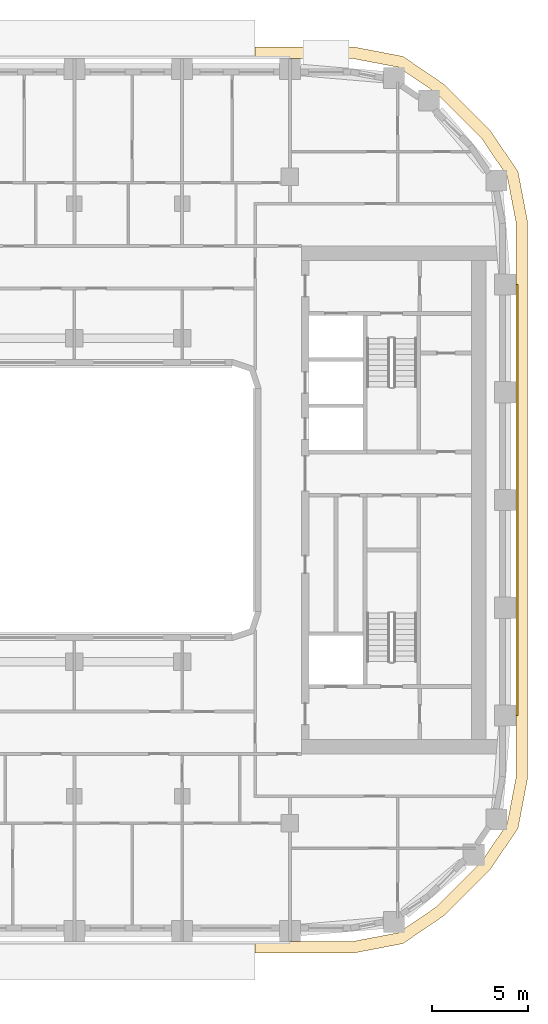
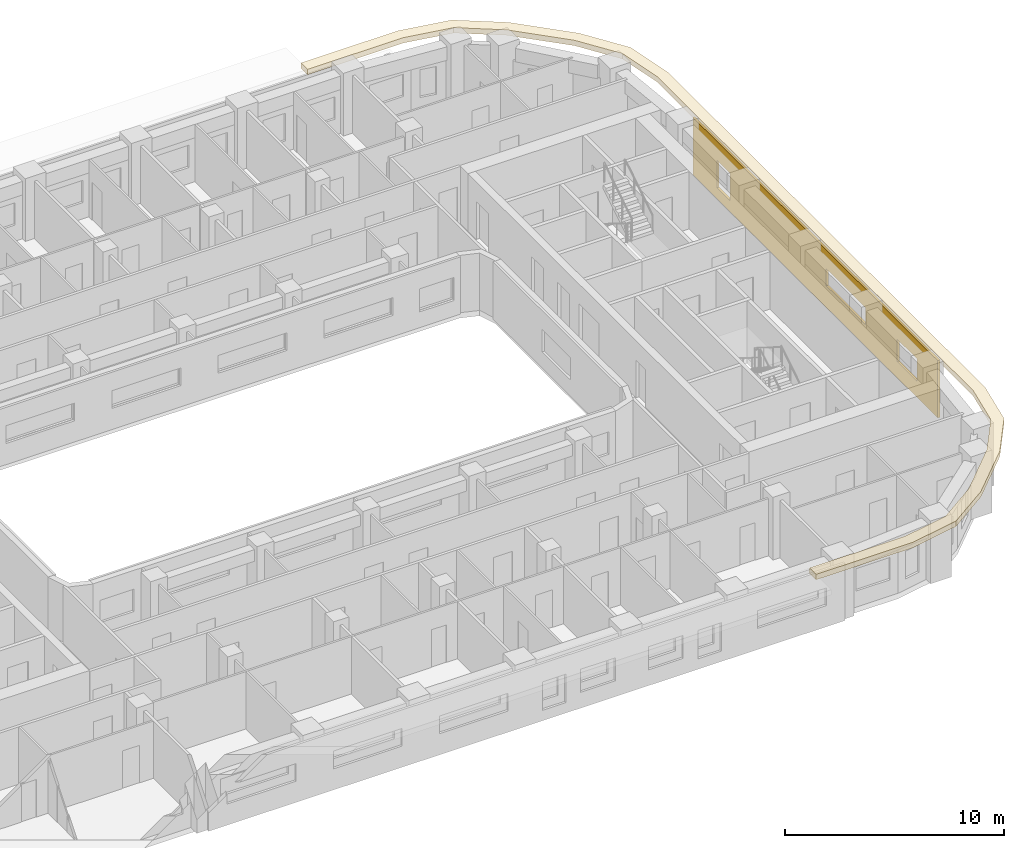
# One storey, part 18 of 22: 2 coverings.
"""IFC4 building model written with IfcOpenShell, lengths in metres."""

from ifc_helpers import new_model, si_unit, direction, frame, origin, place, context, subcontext, project, spatial, polyline, outline, extrude, material, layer, layer_set, type_object, element, save


model = new_model("IFC4")

# Units and contexts
model_context = context("Model", 3, precision=1e-05, world=origin(), true_north=direction((0.0, 1.0)))
body_context = subcontext(model_context, "Body", "Model", "MODEL_VIEW")
ifc_project = project(units=[si_unit("LENGTHUNIT", "METRE"), si_unit("AREAUNIT", "SQUARE_METRE"), si_unit("VOLUMEUNIT", "CUBIC_METRE"), si_unit("PLANEANGLEUNIT", "RADIAN"), si_unit("MASSUNIT", "GRAM", prefix="KILO")], contexts=[model_context])

# Site, building, storey
site_placement = place(None, origin())
site = spatial("IfcSite", under=ifc_project, at=site_placement, CompositionType="ELEMENT")
building_placement = place(site_placement, origin())
building = spatial("IfcBuilding", under=site, at=building_placement, Name="Kiln Ring Residences", CompositionType="ELEMENT")
storey_placement = place(building_placement, frame((0.0, 0.0, 143.10009765625)))
storey = spatial("IfcBuildingStorey", under=building, at=storey_placement, Name="L36", CompositionType="ELEMENT", Elevation=143.10009765625)

# Coverings
ifc_material_1 = material(Name="Brick masonry, dark clay brick", Category="masonry")
ifc_layer_1 = layer(ifc_material_1, 0.1201171875)
ifc_layer_set_1 = layer_set([ifc_layer_1], Name="RAINSCREEN PANEL 120")
covering_type_1 = type_object("IfcCoveringType", Name="RAINSCREEN PANEL 120", PredefinedType="CLADDING", material=ifc_layer_set_1)
covering_1_placement = place(storey_placement, frame((28.610107421875, -11.199951171875, 0.0), z_axis=(0.0, 0.0, 1.0), x_axis=(0.0, 1.0, 0.0)))
element("IfcCovering", 1, at=covering_1_placement, inside=storey, type_object=covering_type_1, Name="RAINSCREEN L36", PredefinedType="CLADDING", context=body_context, shape_type="SweptSolid", body=[
    extrude(outline(polyline([(0.0, 0.0), (22.39990234375, 0.0), (22.39990234375, 3.199951171875), (0.0, 3.199951171875), (0.0, 0.0)]), holes=[polyline([(20.199951171875, 2.14990234375), (19.0, 2.14990234375), (19.0, 0.599853515625), (20.199951171875, 0.599853515625), (20.199951171875, 2.14990234375)]), polyline([(3.699951171875, 0.89990234375), (3.699951171875, 2.14990234375), (1.89990234375, 2.14990234375), (1.89990234375, 0.89990234375), (3.699951171875, 0.89990234375)]), polyline([(10.199951171875, 1.199951171875), (10.199951171875, 2.14990234375), (6.60009765625, 2.14990234375), (6.60009765625, 1.199951171875), (10.199951171875, 1.199951171875)])]), frame((0.0, 0.06005859375, 0.0), z_axis=(0.0, -1.0, 0.0), x_axis=(1.0, 0.0, 0.0)), (0.0, 0.0, 1.0), 0.1201171875),
])
ifc_material_2 = material(Name="Black powder-coated steel", Category="steel")
ifc_layer_2 = layer(ifc_material_2, 0.300048828125)
ifc_layer_set_2 = layer_set([ifc_layer_2], Name="SUNSHADE FIN 600")
covering_type_2 = type_object("IfcCoveringType", Name="SUNSHADE FIN 600", PredefinedType="CLADDING", material=ifc_layer_set_2)
covering_2_placement = place(storey_placement, frame((0.0, 0.0, 3.199951171875)))
element("IfcCovering", 2, at=covering_2_placement, inside=storey, type_object=covering_type_2, Name="SUNSHADE FIN L36", PredefinedType="CLADDING", context=body_context, shape_type="SweptSolid", body=[
    extrude(outline(polyline([(20.108642578125, 23.550048828125), (15.0, 23.550048828125), (15.0, 22.949951171875), (20.052001953125, 22.949951171875), (22.439208984375, 22.49462890625), (24.44921875, 21.128662109375), (26.728515625, 18.84912109375), (28.0947265625, 16.839111328125), (28.550048828125, 14.451904296875), (28.550048828125, -14.451904296875), (28.0947265625, -16.839111328125), (26.728515625, -18.84912109375), (24.44921875, -21.128662109375), (22.439208984375, -22.49462890625), (20.052001953125, -22.949951171875), (15.0, -22.949951171875), (15.0, -23.550048828125), (20.108642578125, -23.550048828125), (22.673583984375, -23.060791015625), (24.83349609375, -21.593017578125), (27.193115234375, -19.2333984375), (28.66064453125, -17.07373046875), (29.14990234375, -14.5087890625), (29.14990234375, 14.5087890625), (28.66064453125, 17.07373046875), (27.193115234375, 19.2333984375), (24.83349609375, 21.593017578125), (22.673583984375, 23.060791015625), (20.108642578125, 23.550048828125)])), origin(), (0.0, 0.0, 1.0), 0.300048828125),
])

save(model, "model.ifc")
